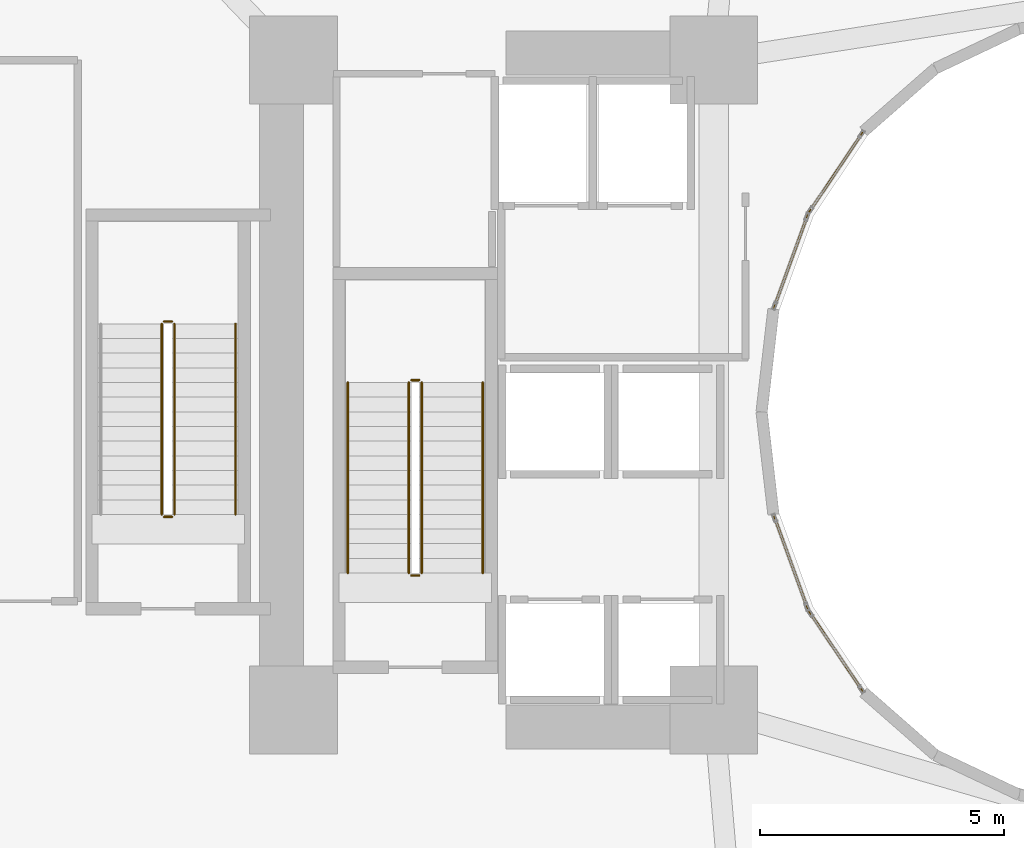
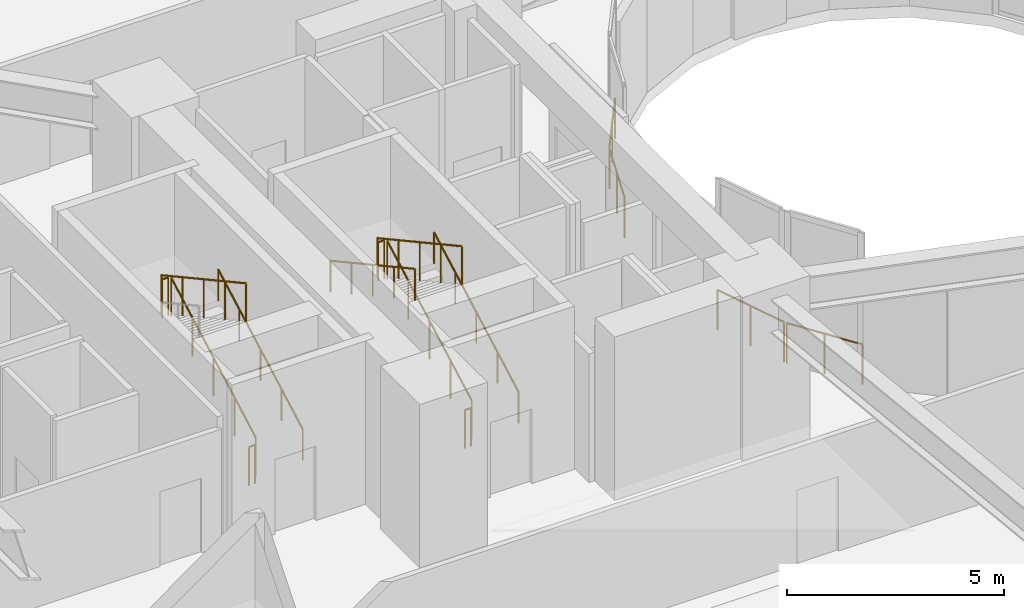
# One storey, part 21 of 25: 15 railings.
"""IFC4 building model written with IfcOpenShell, lengths in metres."""

from ifc_helpers import new_model, si_unit, direction, frame, origin, origin_2d, place, context, subcontext, project, spatial, circle, extrude, material, type_object, element, save


model = new_model("IFC4")

# Units and contexts
model_context = context("Model", 3, precision=1e-05, world=origin(), true_north=direction((0.0, 1.0)))
body_context = subcontext(model_context, "Body", "Model", "MODEL_VIEW")
ifc_project = project(units=[si_unit("LENGTHUNIT", "METRE"), si_unit("AREAUNIT", "SQUARE_METRE"), si_unit("VOLUMEUNIT", "CUBIC_METRE"), si_unit("PLANEANGLEUNIT", "RADIAN"), si_unit("MASSUNIT", "GRAM", prefix="KILO")], contexts=[model_context])

# Site, building, storey
site_placement = place(None, origin())
site = spatial("IfcSite", under=ifc_project, at=site_placement, CompositionType="ELEMENT")
building_placement = place(site_placement, origin())
building = spatial("IfcBuilding", under=site, at=building_placement, Name="Solvane Sanctuary Tower", CompositionType="ELEMENT")
storey_placement = place(building_placement, frame((0.0, 0.0, 4.60009765625)))
storey = spatial("IfcBuildingStorey", under=building, at=storey_placement, Name="L02", CompositionType="ELEMENT", Elevation=4.60009765625)

# Railings
ifc_material = material(Name="Architectural Stainless Steel 316", Category="steel")
railing_type_1 = type_object("IfcRailingType", Name="Railing GR-BALC-1150", PredefinedType="BALUSTRADE", material=ifc_material)
railing_1_placement = place(storey_placement, frame((17.919921875, 19.699951171875, 0.164306640625)))
element("IfcRailing", 1, at=railing_1_placement, inside=storey, type_object=railing_type_1, Name="L02 ST-1 stair guard 1", PredefinedType="BALUSTRADE", context=body_context, shape_type="SweptSolid", body=[
    extrude(circle(Radius=0.02392578125, at=origin_2d()), frame((0.0, 0.0, 1.076171875), z_axis=(0.0, 0.877124353918, 0.480263331688), x_axis=(-1.0, 0.0, 0.0)), (0.0, 0.0, 1.0), 4.446533203125),
    extrude(circle(Radius=0.02099609375, at=origin_2d()), origin(), (0.0, 0.0, 1.0), 1.052001953125),
    extrude(circle(Radius=0.02099609375, at=origin_2d()), frame((0.0, 0.97509765625, 0.533935546875)), (0.0, 0.0, 1.0), 1.052001953125),
    extrude(circle(Radius=0.02099609375, at=origin_2d()), frame((0.0, 1.9501953125, 1.06787109375)), (0.0, 0.0, 1.0), 1.052001953125),
    extrude(circle(Radius=0.02099609375, at=origin_2d()), frame((0.0, 2.925048828125, 1.6015625)), (0.0, 0.0, 1.0), 1.052001953125),
    extrude(circle(Radius=0.02099609375, at=origin_2d()), frame((0.0, 3.900146484375, 2.135498046875)), (0.0, 0.0, 1.0), 1.052001953125),
])
railing_2_placement = place(storey_placement, frame((17.8701171875, 23.64990234375, 2.2998046875)))
element("IfcRailing", 2, at=railing_2_placement, inside=storey, type_object=railing_type_1, Name="L02 ST-1 stair guard 2", PredefinedType="BALUSTRADE", context=body_context, shape_type="SweptSolid", body=[
    extrude(circle(Radius=0.02392578125, at=origin_2d()), frame((0.0, 0.0, 1.076171875), z_axis=(-1.0, 0.0, 0.0), x_axis=(0.0, -1.0, 0.0)), (0.0, 0.0, 1.0), 0.16015625),
    extrude(circle(Radius=0.02099609375, at=origin_2d()), origin(), (0.0, 0.0, 1.0), 1.052001953125),
    extrude(circle(Radius=0.02099609375, at=origin_2d()), frame((-0.16015625, 0.0, 0.0)), (0.0, 0.0, 1.0), 1.052001953125),
])
railing_3_placement = place(storey_placement, frame((17.659912109375, 23.60009765625, 2.464111328125)))
element("IfcRailing", 3, at=railing_3_placement, inside=storey, type_object=railing_type_1, Name="L02 ST-1 stair guard 3", PredefinedType="BALUSTRADE", context=body_context, shape_type="SweptSolid", body=[
    extrude(circle(Radius=0.02392578125, at=origin_2d()), frame((0.0, 0.0, 1.076171875), z_axis=(0.0, -0.877101224295, 0.480305571839), x_axis=(1.0, 0.0, 0.0)), (0.0, 0.0, 1.0), 4.446533203125),
    extrude(circle(Radius=0.02099609375, at=origin_2d()), origin(), (0.0, 0.0, 1.0), 1.052001953125),
    extrude(circle(Radius=0.02099609375, at=origin_2d()), frame((0.0, -0.97509765625, 0.533935546875)), (0.0, 0.0, 1.0), 1.052001953125),
    extrude(circle(Radius=0.02099609375, at=origin_2d()), frame((0.0, -1.9501953125, 1.06787109375)), (0.0, 0.0, 1.0), 1.052001953125),
    extrude(circle(Radius=0.02099609375, at=origin_2d()), frame((0.0, -2.925048828125, 1.601806640625)), (0.0, 0.0, 1.0), 1.052001953125),
    extrude(circle(Radius=0.02099609375, at=origin_2d()), frame((0.0, -3.900146484375, 2.1357421875)), (0.0, 0.0, 1.0), 1.052001953125),
])
railing_4_placement = place(storey_placement, frame((17.8701171875, 19.64990234375, 0.0)))
element("IfcRailing", 4, at=railing_4_placement, inside=storey, type_object=railing_type_1, Name="L02 ST-1 stair guard 4", PredefinedType="BALUSTRADE", context=body_context, shape_type="SweptSolid", body=[
    extrude(circle(Radius=0.02392578125, at=origin_2d()), frame((0.0, 0.0, 1.076171875), z_axis=(-1.0, 0.0, 0.0), x_axis=(0.0, -1.0, 0.0)), (0.0, 0.0, 1.0), 0.16015625),
    extrude(circle(Radius=0.02099609375, at=origin_2d()), origin(), (0.0, 0.0, 1.0), 1.052001953125),
    extrude(circle(Radius=0.02099609375, at=origin_2d()), frame((-0.16015625, 0.0, 0.0)), (0.0, 0.0, 1.0), 1.052001953125),
])
railing_5_placement = place(storey_placement, frame((12.860107421875, 20.89990234375, 0.164306640625)))
element("IfcRailing", 5, at=railing_5_placement, inside=storey, type_object=railing_type_1, Name="L02 ST-3 stair guard 1", PredefinedType="BALUSTRADE", context=body_context, shape_type="SweptSolid", body=[
    extrude(circle(Radius=0.02392578125, at=origin_2d()), frame((0.0, 0.0, 1.076171875), z_axis=(0.0, 0.877124353918, 0.480263331688), x_axis=(-1.0, 0.0, 0.0)), (0.0, 0.0, 1.0), 4.446533203125),
    extrude(circle(Radius=0.02099609375, at=origin_2d()), origin(), (0.0, 0.0, 1.0), 1.052001953125),
    extrude(circle(Radius=0.02099609375, at=origin_2d()), frame((0.0, 0.97509765625, 0.533935546875)), (0.0, 0.0, 1.0), 1.052001953125),
    extrude(circle(Radius=0.02099609375, at=origin_2d()), frame((0.0, 1.9501953125, 1.06787109375)), (0.0, 0.0, 1.0), 1.052001953125),
    extrude(circle(Radius=0.02099609375, at=origin_2d()), frame((0.0, 2.925048828125, 1.6015625)), (0.0, 0.0, 1.0), 1.052001953125),
    extrude(circle(Radius=0.02099609375, at=origin_2d()), frame((0.0, 3.900146484375, 2.135498046875)), (0.0, 0.0, 1.0), 1.052001953125),
])
railing_6_placement = place(storey_placement, frame((12.81005859375, 24.85009765625, 2.2998046875)))
element("IfcRailing", 6, at=railing_6_placement, inside=storey, type_object=railing_type_1, Name="L02 ST-3 stair guard 2", PredefinedType="BALUSTRADE", context=body_context, shape_type="SweptSolid", body=[
    extrude(circle(Radius=0.02392578125, at=origin_2d()), frame((0.0, 0.0, 1.076171875), z_axis=(-1.0, 0.0, 0.0), x_axis=(0.0, -1.0, 0.0)), (0.0, 0.0, 1.0), 0.16015625),
    extrude(circle(Radius=0.02099609375, at=origin_2d()), origin(), (0.0, 0.0, 1.0), 1.052001953125),
    extrude(circle(Radius=0.02099609375, at=origin_2d()), frame((-0.16015625, 0.0, 0.0)), (0.0, 0.0, 1.0), 1.052001953125),
])
railing_7_placement = place(storey_placement, frame((12.60009765625, 24.800048828125, 2.464111328125)))
element("IfcRailing", 7, at=railing_7_placement, inside=storey, type_object=railing_type_1, Name="L02 ST-3 stair guard 3", PredefinedType="BALUSTRADE", context=body_context, shape_type="SweptSolid", body=[
    extrude(circle(Radius=0.02392578125, at=origin_2d()), frame((0.0, 0.0, 1.076171875), z_axis=(0.0, -0.877101224295, 0.480305571839), x_axis=(1.0, 0.0, 0.0)), (0.0, 0.0, 1.0), 4.446533203125),
    extrude(circle(Radius=0.02099609375, at=origin_2d()), origin(), (0.0, 0.0, 1.0), 1.052001953125),
    extrude(circle(Radius=0.02099609375, at=origin_2d()), frame((0.0, -0.97509765625, 0.533935546875)), (0.0, 0.0, 1.0), 1.052001953125),
    extrude(circle(Radius=0.02099609375, at=origin_2d()), frame((0.0, -1.9501953125, 1.06787109375)), (0.0, 0.0, 1.0), 1.052001953125),
    extrude(circle(Radius=0.02099609375, at=origin_2d()), frame((0.0, -2.925048828125, 1.601806640625)), (0.0, 0.0, 1.0), 1.052001953125),
    extrude(circle(Radius=0.02099609375, at=origin_2d()), frame((0.0, -3.900146484375, 2.1357421875)), (0.0, 0.0, 1.0), 1.052001953125),
])
railing_8_placement = place(storey_placement, frame((12.81005859375, 20.85009765625, 0.0)))
element("IfcRailing", 8, at=railing_8_placement, inside=storey, type_object=railing_type_1, Name="L02 ST-3 stair guard 4", PredefinedType="BALUSTRADE", context=body_context, shape_type="SweptSolid", body=[
    extrude(circle(Radius=0.02392578125, at=origin_2d()), frame((0.0, 0.0, 1.076171875), z_axis=(-1.0, 0.0, 0.0), x_axis=(0.0, -1.0, 0.0)), (0.0, 0.0, 1.0), 0.16015625),
    extrude(circle(Radius=0.02099609375, at=origin_2d()), origin(), (0.0, 0.0, 1.0), 1.052001953125),
    extrude(circle(Radius=0.02099609375, at=origin_2d()), frame((-0.16015625, 0.0, 0.0)), (0.0, 0.0, 1.0), 1.052001953125),
])
railing_type_2 = type_object("IfcRailingType", Name="Railing GR-WELL-1150", PredefinedType="GUARDRAIL", material=ifc_material)
railing_9_placement = place(storey_placement, frame((26.943115234375, 28.70849609375, 0.0)))
element("IfcRailing", 9, at=railing_9_placement, inside=storey, type_object=railing_type_2, Name="L02 Light-Well Sill Guard 09", PredefinedType="GUARDRAIL", context=body_context, shape_type="SweptSolid", body=[
    extrude(circle(Radius=0.02392578125, at=origin_2d()), frame((0.0, 0.0, 1.1259765625), z_axis=(-0.558283423748, -0.829650299083, 0.0), x_axis=(0.829650299083, -0.558283423748, 0.0)), (0.0, 0.0, 1.0), 1.94677734375),
    extrude(circle(Radius=0.02099609375, at=origin_2d()), origin(), (0.0, 0.0, 1.0), 1.101806640625),
    extrude(circle(Radius=0.02099609375, at=origin_2d()), frame((-0.54345703125, -0.8076171875, 0.0)), (0.0, 0.0, 1.0), 1.101806640625),
    extrude(circle(Radius=0.02099609375, at=origin_2d()), frame((-1.0869140625, -1.615234375, 0.0)), (0.0, 0.0, 1.0), 1.101806640625),
])
railing_10_placement = place(storey_placement, frame((25.8203125, 27.0224609375, 0.0)))
element("IfcRailing", 10, at=railing_10_placement, inside=storey, type_object=railing_type_2, Name="L02 Light-Well Sill Guard 10", PredefinedType="GUARDRAIL", context=body_context, shape_type="SweptSolid", body=[
    extrude(circle(Radius=0.02392578125, at=origin_2d()), frame((0.0, 0.0, 1.1259765625), z_axis=(-0.341410413021, -0.9399143205, 0.0), x_axis=(0.9399143205, -0.341410413021, 0.0)), (0.0, 0.0, 1.0), 2.003662109375),
    extrude(circle(Radius=0.02099609375, at=origin_2d()), origin(), (0.0, 0.0, 1.0), 1.101806640625),
    extrude(circle(Radius=0.02099609375, at=origin_2d()), frame((-0.342041015625, -0.941650390625, 0.0)), (0.0, 0.0, 1.0), 1.101806640625),
    extrude(circle(Radius=0.02099609375, at=origin_2d()), frame((-0.68408203125, -1.88330078125, 0.0)), (0.0, 0.0, 1.0), 1.101806640625),
])
railing_11_placement = place(storey_placement, frame((25.13623046875, 20.86083984375, 0.0)))
element("IfcRailing", 11, at=railing_11_placement, inside=storey, type_object=railing_type_2, Name="L02 Light-Well Sill Guard 13", PredefinedType="GUARDRAIL", context=body_context, shape_type="SweptSolid", body=[
    extrude(circle(Radius=0.02392578125, at=origin_2d()), frame((0.0, 0.0, 1.1259765625), z_axis=(0.341410413021, -0.9399143205, 0.0), x_axis=(0.9399143205, 0.341410413021, 0.0)), (0.0, 0.0, 1.0), 2.003662109375),
    extrude(circle(Radius=0.02099609375, at=origin_2d()), origin(), (0.0, 0.0, 1.0), 1.101806640625),
    extrude(circle(Radius=0.02099609375, at=origin_2d()), frame((0.342041015625, -0.941650390625, 0.0)), (0.0, 0.0, 1.0), 1.101806640625),
    extrude(circle(Radius=0.02099609375, at=origin_2d()), frame((0.68408203125, -1.88330078125, 0.0)), (0.0, 0.0, 1.0), 1.101806640625),
])
railing_12_placement = place(storey_placement, frame((25.856201171875, 18.90673828125, 0.0)))
element("IfcRailing", 12, at=railing_12_placement, inside=storey, type_object=railing_type_2, Name="L02 Light-Well Sill Guard 14", PredefinedType="GUARDRAIL", context=body_context, shape_type="SweptSolid", body=[
    extrude(circle(Radius=0.02392578125, at=origin_2d()), frame((0.0, 0.0, 1.1259765625), z_axis=(0.558283423748, -0.829650299083, 0.0), x_axis=(0.829650299083, 0.558283423748, 0.0)), (0.0, 0.0, 1.0), 1.94677734375),
    extrude(circle(Radius=0.02099609375, at=origin_2d()), origin(), (0.0, 0.0, 1.0), 1.101806640625),
    extrude(circle(Radius=0.02099609375, at=origin_2d()), frame((0.54345703125, -0.8076171875, 0.0)), (0.0, 0.0, 1.0), 1.101806640625),
    extrude(circle(Radius=0.02099609375, at=origin_2d()), frame((1.0869140625, -1.615234375, 0.0)), (0.0, 0.0, 1.0), 1.101806640625),
])
railing_type_3 = type_object("IfcRailingType", Name="Railing HR-STAIR-920", PredefinedType="HANDRAIL", material=ifc_material)
railing_13_placement = place(storey_placement, frame((19.169921875, 19.699951171875, 0.164306640625)))
element("IfcRailing", 13, at=railing_13_placement, inside=storey, type_object=railing_type_3, Name="L02 ST-1 stair handrail 1", PredefinedType="HANDRAIL", context=body_context, shape_type="SweptSolid", body=[
    extrude(circle(Radius=0.02392578125, at=origin_2d()), frame((0.0, 0.0, 0.8759765625), z_axis=(0.0, 0.877124353918, 0.480263331688), x_axis=(-1.0, 0.0, 0.0)), (0.0, 0.0, 1.0), 4.446533203125),
    extrude(circle(Radius=0.02099609375, at=origin_2d()), origin(), (0.0, 0.0, 1.0), 0.851806640625),
    extrude(circle(Radius=0.02099609375, at=origin_2d()), frame((0.0, 0.97509765625, 0.533935546875)), (0.0, 0.0, 1.0), 0.851806640625),
    extrude(circle(Radius=0.02099609375, at=origin_2d()), frame((0.0, 1.9501953125, 1.06787109375)), (0.0, 0.0, 1.0), 0.851806640625),
    extrude(circle(Radius=0.02099609375, at=origin_2d()), frame((0.0, 2.925048828125, 1.6015625)), (0.0, 0.0, 1.0), 0.851806640625),
    extrude(circle(Radius=0.02099609375, at=origin_2d()), frame((0.0, 3.900146484375, 2.135498046875)), (0.0, 0.0, 1.0), 0.851806640625),
])
railing_14_placement = place(storey_placement, frame((16.409912109375, 23.60009765625, 2.464111328125)))
element("IfcRailing", 14, at=railing_14_placement, inside=storey, type_object=railing_type_3, Name="L02 ST-1 stair handrail 2", PredefinedType="HANDRAIL", context=body_context, shape_type="SweptSolid", body=[
    extrude(circle(Radius=0.02392578125, at=origin_2d()), frame((0.0, 0.0, 0.8759765625), z_axis=(0.0, -0.877101224295, 0.480305571839), x_axis=(1.0, 0.0, 0.0)), (0.0, 0.0, 1.0), 4.446533203125),
    extrude(circle(Radius=0.02099609375, at=origin_2d()), origin(), (0.0, 0.0, 1.0), 0.851806640625),
    extrude(circle(Radius=0.02099609375, at=origin_2d()), frame((0.0, -0.97509765625, 0.533935546875)), (0.0, 0.0, 1.0), 0.851806640625),
    extrude(circle(Radius=0.02099609375, at=origin_2d()), frame((0.0, -1.9501953125, 1.06787109375)), (0.0, 0.0, 1.0), 0.851806640625),
    extrude(circle(Radius=0.02099609375, at=origin_2d()), frame((0.0, -2.925048828125, 1.601806640625)), (0.0, 0.0, 1.0), 0.851806640625),
    extrude(circle(Radius=0.02099609375, at=origin_2d()), frame((0.0, -3.900146484375, 2.1357421875)), (0.0, 0.0, 1.0), 0.851806640625),
])
railing_15_placement = place(storey_placement, frame((14.110107421875, 20.89990234375, 0.164306640625)))
element("IfcRailing", 15, at=railing_15_placement, inside=storey, type_object=railing_type_3, Name="L02 ST-3 stair handrail 1", PredefinedType="HANDRAIL", context=body_context, shape_type="SweptSolid", body=[
    extrude(circle(Radius=0.02392578125, at=origin_2d()), frame((0.0, 0.0, 0.8759765625), z_axis=(0.0, 0.877124353918, 0.480263331688), x_axis=(-1.0, 0.0, 0.0)), (0.0, 0.0, 1.0), 4.446533203125),
    extrude(circle(Radius=0.02099609375, at=origin_2d()), origin(), (0.0, 0.0, 1.0), 0.851806640625),
    extrude(circle(Radius=0.02099609375, at=origin_2d()), frame((0.0, 0.97509765625, 0.533935546875)), (0.0, 0.0, 1.0), 0.851806640625),
    extrude(circle(Radius=0.02099609375, at=origin_2d()), frame((0.0, 1.9501953125, 1.06787109375)), (0.0, 0.0, 1.0), 0.851806640625),
    extrude(circle(Radius=0.02099609375, at=origin_2d()), frame((0.0, 2.925048828125, 1.6015625)), (0.0, 0.0, 1.0), 0.851806640625),
    extrude(circle(Radius=0.02099609375, at=origin_2d()), frame((0.0, 3.900146484375, 2.135498046875)), (0.0, 0.0, 1.0), 0.851806640625),
])

save(model, "model.ifc")
